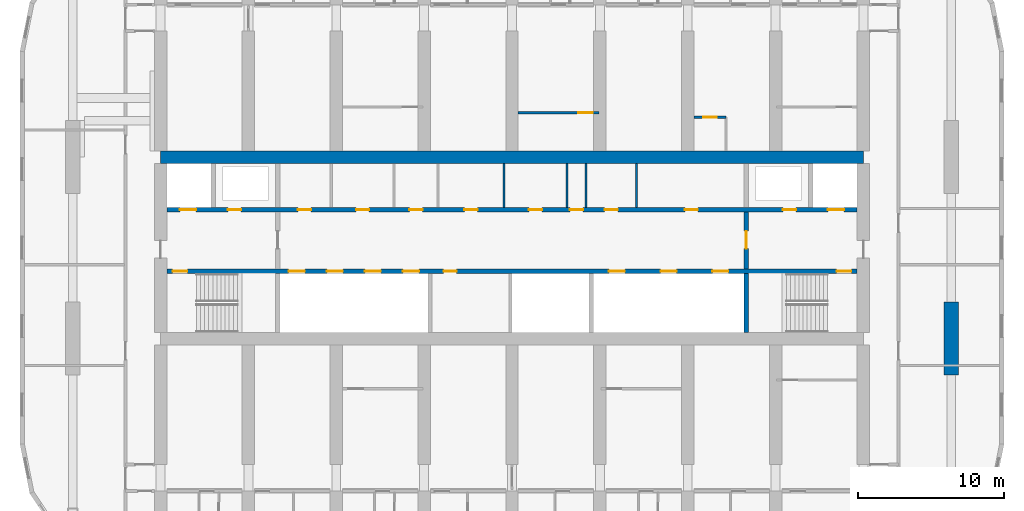
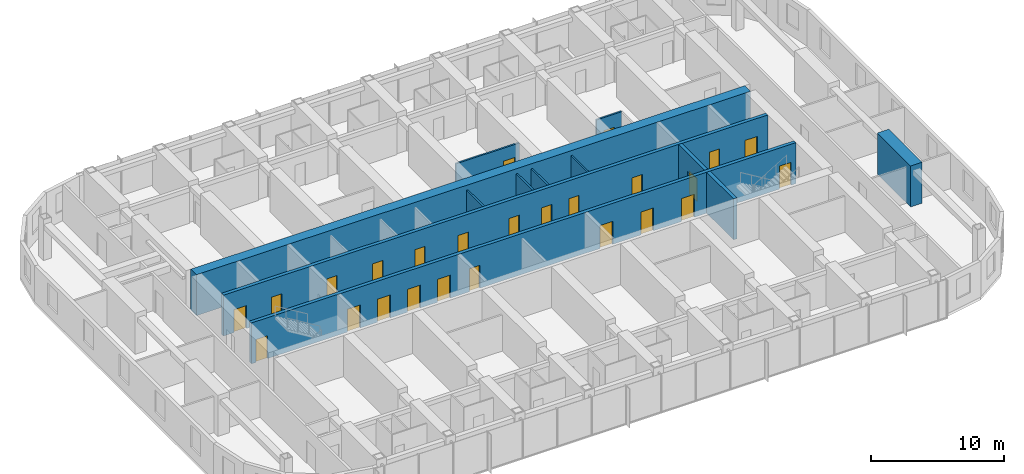
# One storey, part 13 of 22: 25 doors, 12 walls, 25 openings.
"""IFC4 building model written with IfcOpenShell, lengths in metres."""

from ifc_helpers import new_model, si_unit, direction, frame, frame_2d, origin, place, context, subcontext, project, spatial, rectangle, extrude, material, layer, layer_set, type_object, element, fill, save


model = new_model("IFC4")

# Units and contexts
model_context = context("Model", 3, precision=1e-05, world=origin(), true_north=direction((0.0, 1.0)))
body_context = subcontext(model_context, "Body", "Model", "MODEL_VIEW")
ifc_project = project(units=[si_unit("LENGTHUNIT", "METRE"), si_unit("AREAUNIT", "SQUARE_METRE"), si_unit("VOLUMEUNIT", "CUBIC_METRE"), si_unit("PLANEANGLEUNIT", "RADIAN"), si_unit("MASSUNIT", "GRAM", prefix="KILO")], contexts=[model_context])

# Site, building, storey
site_placement = place(None, origin())
site = spatial("IfcSite", under=ifc_project, at=site_placement, CompositionType="ELEMENT")
building_placement = place(site_placement, origin())
building = spatial("IfcBuilding", under=site, at=building_placement, Name="Orbita Commons", CompositionType="ELEMENT")
storey_placement = place(building_placement, frame((0.0, 0.0, 159.85009765625)))
storey = spatial("IfcBuildingStorey", under=building, at=storey_placement, Name="L39", CompositionType="ELEMENT", Elevation=159.85009765625)

# Wall, openings, doors
ifc_material_1 = material(Name="Concrete C50/60", Category="concrete")
ifc_layer_1 = layer(ifc_material_1, 0.300048828125)
ifc_layer_set_1 = layer_set([ifc_layer_1], Name="Concrete C50/60")
wall_type_1 = type_object("IfcWallType", Name="Core inner wall 300 C50/60", PredefinedType="SHEAR", material=ifc_layer_set_1)
wall_1_placement = place(storey_placement, frame((18.425048828125, 30.39990234375, 0.0), z_axis=(0.0, 0.0, 1.0), x_axis=(1.0, 0.0, 0.0)))
wall_1 = element("IfcWall", 1, at=wall_1_placement, inside=storey, type_object=wall_type_1, Name="Lobby wall south L39", PredefinedType="SHEAR", context=body_context, shape_type="SweptSolid", body=[
    extrude(rectangle(XDim=47.14990234375, YDim=0.300048828125, at=frame_2d((23.574951171875, 0.0))), origin(), (0.0, 0.0, 1.0), 3.75),
])
opening_1_placement = place(wall_1_placement, frame((0.39990234375, 0.0, 0.0)))
opening_1 = element("IfcOpeningElement", 2, at=opening_1_placement, cuts=wall_1, Name="Opening D02", PredefinedType="OPENING", context=body_context, shape_type="SweptSolid", body=[
    extrude(rectangle(XDim=1.0, YDim=2.10009765625, at=frame_2d((0.5, 1.050048828125))), frame((0.0, 0.159912109375, 0.0), z_axis=(0.0, -1.0, 0.0), x_axis=(1.0, 0.0, 0.0)), (0.0, 0.0, 1.0), 0.320068359375),
])
opening_2_placement = place(wall_1_placement, frame((45.75, 0.0, 0.0)))
opening_2 = element("IfcOpeningElement", 3, at=opening_2_placement, cuts=wall_1, Name="Opening D02", PredefinedType="OPENING", context=body_context, shape_type="SweptSolid", body=[
    extrude(rectangle(XDim=1.0, YDim=2.10009765625, at=frame_2d((0.5, 1.050048828125))), frame((0.0, 0.159912109375, 0.0), z_axis=(0.0, -1.0, 0.0), x_axis=(1.0, 0.0, 0.0)), (0.0, 0.0, 1.0), 0.320068359375),
])
opening_3_placement = place(wall_1_placement, frame((8.324951171875, 0.0, 0.0)))
opening_3 = element("IfcOpeningElement", 4, at=opening_3_placement, cuts=wall_1, Name="Opening LD02", PredefinedType="OPENING", context=body_context, shape_type="SweptSolid", body=[
    extrude(rectangle(XDim=1.10009765625, YDim=2.10009765625, at=frame_2d((0.550048828125, 1.050048828125))), frame((0.0, 0.159912109375, 0.0), z_axis=(0.0, -1.0, 0.0), x_axis=(1.0, 0.0, 0.0)), (0.0, 0.0, 1.0), 0.320068359375),
])
opening_4_placement = place(wall_1_placement, frame((10.925048828125, 0.0, 0.0)))
opening_4 = element("IfcOpeningElement", 5, at=opening_4_placement, cuts=wall_1, Name="Opening LD02", PredefinedType="OPENING", context=body_context, shape_type="SweptSolid", body=[
    extrude(rectangle(XDim=1.10009765625, YDim=2.10009765625, at=frame_2d((0.550048828125, 1.050048828125))), frame((0.0, 0.159912109375, 0.0), z_axis=(0.0, -1.0, 0.0), x_axis=(1.0, 0.0, 0.0)), (0.0, 0.0, 1.0), 0.320068359375),
])
opening_5_placement = place(wall_1_placement, frame((13.52490234375, 0.0, 0.0)))
opening_5 = element("IfcOpeningElement", 6, at=opening_5_placement, cuts=wall_1, Name="Opening LD02", PredefinedType="OPENING", context=body_context, shape_type="SweptSolid", body=[
    extrude(rectangle(XDim=1.10009765625, YDim=2.10009765625, at=frame_2d((0.550048828125, 1.050048828125))), frame((0.0, 0.159912109375, 0.0), z_axis=(0.0, -1.0, 0.0), x_axis=(1.0, 0.0, 0.0)), (0.0, 0.0, 1.0), 0.320068359375),
])
opening_6_placement = place(wall_1_placement, frame((16.125, 0.0, 0.0)))
opening_6 = element("IfcOpeningElement", 7, at=opening_6_placement, cuts=wall_1, Name="Opening LD02", PredefinedType="OPENING", context=body_context, shape_type="SweptSolid", body=[
    extrude(rectangle(XDim=1.10009765625, YDim=2.10009765625, at=frame_2d((0.550048828125, 1.050048828125))), frame((0.0, 0.159912109375, 0.0), z_axis=(0.0, -1.0, 0.0), x_axis=(1.0, 0.0, 0.0)), (0.0, 0.0, 1.0), 0.320068359375),
])
opening_7_placement = place(wall_1_placement, frame((18.89990234375, 0.0, 0.0)))
opening_7 = element("IfcOpeningElement", 8, at=opening_7_placement, cuts=wall_1, Name="Opening D05", PredefinedType="OPENING", context=body_context, shape_type="SweptSolid", body=[
    extrude(rectangle(XDim=0.89990234375, YDim=2.10009765625, at=frame_2d((0.449951171875, 1.050048828125))), frame((0.0, 0.159912109375, 0.0), z_axis=(0.0, -1.0, 0.0), x_axis=(1.0, 0.0, 0.0)), (0.0, 0.0, 1.0), 0.320068359375),
])
opening_8_placement = place(wall_1_placement, frame((30.191650390625, 0.0, 0.0)))
opening_8 = element("IfcOpeningElement", 9, at=opening_8_placement, cuts=wall_1, Name="Opening LD02", PredefinedType="OPENING", context=body_context, shape_type="SweptSolid", body=[
    extrude(rectangle(XDim=1.10009765625, YDim=2.10009765625, at=frame_2d((0.550048828125, 1.050048828125))), frame((0.0, 0.159912109375, 0.0), z_axis=(0.0, -1.0, 0.0), x_axis=(1.0, 0.0, 0.0)), (0.0, 0.0, 1.0), 0.320068359375),
])
opening_9_placement = place(wall_1_placement, frame((33.72509765625, 0.0, 0.0)))
opening_9 = element("IfcOpeningElement", 10, at=opening_9_placement, cuts=wall_1, Name="Opening LD02", PredefinedType="OPENING", context=body_context, shape_type="SweptSolid", body=[
    extrude(rectangle(XDim=1.10009765625, YDim=2.10009765625, at=frame_2d((0.550048828125, 1.050048828125))), frame((0.0, 0.159912109375, 0.0), z_axis=(0.0, -1.0, 0.0), x_axis=(1.0, 0.0, 0.0)), (0.0, 0.0, 1.0), 0.320068359375),
])
opening_10_placement = place(wall_1_placement, frame((37.25830078125, 0.0, 0.0)))
opening_10 = element("IfcOpeningElement", 11, at=opening_10_placement, cuts=wall_1, Name="Opening LD02", PredefinedType="OPENING", context=body_context, shape_type="SweptSolid", body=[
    extrude(rectangle(XDim=1.10009765625, YDim=2.10009765625, at=frame_2d((0.550048828125, 1.050048828125))), frame((0.0, 0.159912109375, 0.0), z_axis=(0.0, -1.0, 0.0), x_axis=(1.0, 0.0, 0.0)), (0.0, 0.0, 1.0), 0.320068359375),
])
ifc_material_2 = material(Name="Steel-faced fire door leaf", Category="steel")
door_type_1 = type_object("IfcDoorType", Name="Fire door 90 min 1000x2100", OperationType="SINGLE_SWING_LEFT", PredefinedType="DOOR", material=ifc_material_2)
door_1_placement = place(opening_1_placement, origin())
door_1 = element("IfcDoor", 12, at=door_1_placement, inside=storey, type_object=door_type_1, Name="Stair S1 door", OperationType="SINGLE_SWING_LEFT", OverallHeight=2.10009765625, OverallWidth=1.0, PredefinedType="DOOR", context=body_context, shape_type="SweptSolid", body=[
    extrude(rectangle(XDim=1.0, YDim=2.10009765625, at=frame_2d((0.5, 1.050048828125))), frame((0.0, 0.02490234375, 0.0), z_axis=(0.0, -1.0, 0.0), x_axis=(1.0, 0.0, 0.0)), (0.0, 0.0, 1.0), 0.050048828125),
])
fill(opening_1, door_1)
door_2_placement = place(opening_2_placement, origin())
door_2 = element("IfcDoor", 13, at=door_2_placement, inside=storey, type_object=door_type_1, Name="Stair S2 door", OperationType="SINGLE_SWING_LEFT", OverallHeight=2.10009765625, OverallWidth=1.0, PredefinedType="DOOR", context=body_context, shape_type="SweptSolid", body=[
    extrude(rectangle(XDim=1.0, YDim=2.10009765625, at=frame_2d((0.5, 1.050048828125))), frame((0.0, 0.02490234375, 0.0), z_axis=(0.0, -1.0, 0.0), x_axis=(1.0, 0.0, 0.0)), (0.0, 0.0, 1.0), 0.050048828125),
])
fill(opening_2, door_2)
ifc_material_3 = material(Name="Steel-faced fire door leaf", Category="steel")
door_type_2 = type_object("IfcDoorType", Name="Lift landing door 1100x2100", OperationType="DOUBLE_DOOR_SLIDING", PredefinedType="DOOR", material=ifc_material_3)
door_3_placement = place(opening_3_placement, origin())
door_3 = element("IfcDoor", 14, at=door_3_placement, inside=storey, type_object=door_type_2, Name="Lift P31 landing door", OperationType="DOUBLE_DOOR_SLIDING", OverallHeight=2.10009765625, OverallWidth=1.10009765625, PredefinedType="DOOR", context=body_context, shape_type="SweptSolid", body=[
    extrude(rectangle(XDim=1.10009765625, YDim=2.10009765625, at=frame_2d((0.550048828125, 1.050048828125))), frame((0.0, 0.02490234375, 0.0), z_axis=(0.0, -1.0, 0.0), x_axis=(1.0, 0.0, 0.0)), (0.0, 0.0, 1.0), 0.050048828125),
])
fill(opening_3, door_3)
door_4_placement = place(opening_4_placement, origin())
door_4 = element("IfcDoor", 15, at=door_4_placement, inside=storey, type_object=door_type_2, Name="Lift P32 landing door", OperationType="DOUBLE_DOOR_SLIDING", OverallHeight=2.10009765625, OverallWidth=1.10009765625, PredefinedType="DOOR", context=body_context, shape_type="SweptSolid", body=[
    extrude(rectangle(XDim=1.10009765625, YDim=2.10009765625, at=frame_2d((0.550048828125, 1.050048828125))), frame((0.0, 0.02490234375, 0.0), z_axis=(0.0, -1.0, 0.0), x_axis=(1.0, 0.0, 0.0)), (0.0, 0.0, 1.0), 0.050048828125),
])
fill(opening_4, door_4)
door_5_placement = place(opening_5_placement, origin())
door_5 = element("IfcDoor", 16, at=door_5_placement, inside=storey, type_object=door_type_2, Name="Lift P33 landing door", OperationType="DOUBLE_DOOR_SLIDING", OverallHeight=2.10009765625, OverallWidth=1.10009765625, PredefinedType="DOOR", context=body_context, shape_type="SweptSolid", body=[
    extrude(rectangle(XDim=1.10009765625, YDim=2.10009765625, at=frame_2d((0.550048828125, 1.050048828125))), frame((0.0, 0.02490234375, 0.0), z_axis=(0.0, -1.0, 0.0), x_axis=(1.0, 0.0, 0.0)), (0.0, 0.0, 1.0), 0.050048828125),
])
fill(opening_5, door_5)
door_6_placement = place(opening_6_placement, origin())
door_6 = element("IfcDoor", 17, at=door_6_placement, inside=storey, type_object=door_type_2, Name="Lift P34 landing door", OperationType="DOUBLE_DOOR_SLIDING", OverallHeight=2.10009765625, OverallWidth=1.10009765625, PredefinedType="DOOR", context=body_context, shape_type="SweptSolid", body=[
    extrude(rectangle(XDim=1.10009765625, YDim=2.10009765625, at=frame_2d((0.550048828125, 1.050048828125))), frame((0.0, 0.02490234375, 0.0), z_axis=(0.0, -1.0, 0.0), x_axis=(1.0, 0.0, 0.0)), (0.0, 0.0, 1.0), 0.050048828125),
])
fill(opening_6, door_6)
door_7_placement = place(opening_8_placement, origin())
door_7 = element("IfcDoor", 18, at=door_7_placement, inside=storey, type_object=door_type_2, Name="Lift SV1 landing door", OperationType="DOUBLE_DOOR_SLIDING", OverallHeight=2.10009765625, OverallWidth=1.10009765625, PredefinedType="DOOR", context=body_context, shape_type="SweptSolid", body=[
    extrude(rectangle(XDim=1.10009765625, YDim=2.10009765625, at=frame_2d((0.550048828125, 1.050048828125))), frame((0.0, 0.02490234375, 0.0), z_axis=(0.0, -1.0, 0.0), x_axis=(1.0, 0.0, 0.0)), (0.0, 0.0, 1.0), 0.050048828125),
])
fill(opening_8, door_7)
door_8_placement = place(opening_9_placement, origin())
door_8 = element("IfcDoor", 19, at=door_8_placement, inside=storey, type_object=door_type_2, Name="Lift SV2 landing door", OperationType="DOUBLE_DOOR_SLIDING", OverallHeight=2.10009765625, OverallWidth=1.10009765625, PredefinedType="DOOR", context=body_context, shape_type="SweptSolid", body=[
    extrude(rectangle(XDim=1.10009765625, YDim=2.10009765625, at=frame_2d((0.550048828125, 1.050048828125))), frame((0.0, 0.02490234375, 0.0), z_axis=(0.0, -1.0, 0.0), x_axis=(1.0, 0.0, 0.0)), (0.0, 0.0, 1.0), 0.050048828125),
])
fill(opening_9, door_8)
door_9_placement = place(opening_10_placement, origin())
door_9 = element("IfcDoor", 20, at=door_9_placement, inside=storey, type_object=door_type_2, Name="Lift SV3 landing door", OperationType="DOUBLE_DOOR_SLIDING", OverallHeight=2.10009765625, OverallWidth=1.10009765625, PredefinedType="DOOR", context=body_context, shape_type="SweptSolid", body=[
    extrude(rectangle(XDim=1.10009765625, YDim=2.10009765625, at=frame_2d((0.550048828125, 1.050048828125))), frame((0.0, 0.02490234375, 0.0), z_axis=(0.0, -1.0, 0.0), x_axis=(1.0, 0.0, 0.0)), (0.0, 0.0, 1.0), 0.050048828125),
])
fill(opening_10, door_9)
ifc_material_4 = material(Name="Steel-faced fire door leaf", Category="steel")
door_type_3 = type_object("IfcDoorType", Name="Service door 20 min 900x2100", OperationType="SINGLE_SWING_LEFT", PredefinedType="DOOR", material=ifc_material_4)
door_10_placement = place(opening_7_placement, origin())
door_10 = element("IfcDoor", 21, at=door_10_placement, inside=storey, type_object=door_type_3, Name="Telecoms room door", OperationType="SINGLE_SWING_LEFT", OverallHeight=2.10009765625, OverallWidth=0.89990234375, PredefinedType="DOOR", context=body_context, shape_type="SweptSolid", body=[
    extrude(rectangle(XDim=0.89990234375, YDim=2.10009765625, at=frame_2d((0.449951171875, 1.050048828125))), frame((0.0, 0.02490234375, 0.0), z_axis=(0.0, -1.0, 0.0), x_axis=(1.0, 0.0, 0.0)), (0.0, 0.0, 1.0), 0.050048828125),
])
fill(opening_7, door_10)

wall_2_placement = place(storey_placement, frame((18.425048828125, 34.60009765625, 0.0), z_axis=(0.0, 0.0, 1.0), x_axis=(1.0, 0.0, 0.0)))
wall_2 = element("IfcWall", 22, at=wall_2_placement, inside=storey, type_object=wall_type_1, Name="Lobby wall north L39", PredefinedType="SHEAR", context=body_context, shape_type="SweptSolid", body=[
    extrude(rectangle(XDim=47.14990234375, YDim=0.300048828125, at=frame_2d((23.574951171875, 0.0))), origin(), (0.0, 0.0, 1.0), 3.75),
])
opening_11_placement = place(wall_2_placement, frame((0.89990234375, 0.0, 0.0)))
opening_11 = element("IfcOpeningElement", 23, at=opening_11_placement, cuts=wall_2, Name="Opening LD01", PredefinedType="OPENING", context=body_context, shape_type="SweptSolid", body=[
    extrude(rectangle(XDim=1.10009765625, YDim=2.10009765625, at=frame_2d((0.550048828125, 1.050048828125))), frame((0.0, 0.159912109375, 0.0), z_axis=(0.0, -1.0, 0.0), x_axis=(1.0, 0.0, 0.0)), (0.0, 0.0, 1.0), 0.320068359375),
])
opening_12_placement = place(wall_2_placement, frame((45.14990234375, 0.0, 0.0)))
opening_12 = element("IfcOpeningElement", 24, at=opening_12_placement, cuts=wall_2, Name="Opening LD01", PredefinedType="OPENING", context=body_context, shape_type="SweptSolid", body=[
    extrude(rectangle(XDim=1.10009765625, YDim=2.10009765625, at=frame_2d((0.550048828125, 1.050048828125))), frame((0.0, 0.159912109375, 0.0), z_axis=(0.0, -1.0, 0.0), x_axis=(1.0, 0.0, 0.0)), (0.0, 0.0, 1.0), 0.320068359375),
])
opening_13_placement = place(wall_2_placement, frame((4.175048828125, 0.0, 0.0)))
opening_13 = element("IfcOpeningElement", 25, at=opening_13_placement, cuts=wall_2, Name="Opening D03", PredefinedType="OPENING", context=body_context, shape_type="SweptSolid", body=[
    extrude(rectangle(XDim=0.89990234375, YDim=2.10009765625, at=frame_2d((0.449951171875, 1.050048828125))), frame((0.0, 0.159912109375, 0.0), z_axis=(0.0, -1.0, 0.0), x_axis=(1.0, 0.0, 0.0)), (0.0, 0.0, 1.0), 0.320068359375),
])
opening_14_placement = place(wall_2_placement, frame((42.074951171875, 0.0, 0.0)))
opening_14 = element("IfcOpeningElement", 26, at=opening_14_placement, cuts=wall_2, Name="Opening D03", PredefinedType="OPENING", context=body_context, shape_type="SweptSolid", body=[
    extrude(rectangle(XDim=0.89990234375, YDim=2.10009765625, at=frame_2d((0.449951171875, 1.050048828125))), frame((0.0, 0.159912109375, 0.0), z_axis=(0.0, -1.0, 0.0), x_axis=(1.0, 0.0, 0.0)), (0.0, 0.0, 1.0), 0.320068359375),
])
opening_15_placement = place(wall_2_placement, frame((8.950439453125, 0.0, 0.0)))
opening_15 = element("IfcOpeningElement", 27, at=opening_15_placement, cuts=wall_2, Name="Opening D05", PredefinedType="OPENING", context=body_context, shape_type="SweptSolid", body=[
    extrude(rectangle(XDim=0.89990234375, YDim=2.10009765625, at=frame_2d((0.449951171875, 1.050048828125))), frame((0.0, 0.159912109375, 0.0), z_axis=(0.0, -1.0, 0.0), x_axis=(1.0, 0.0, 0.0)), (0.0, 0.0, 1.0), 0.320068359375),
])
opening_16_placement = place(wall_2_placement, frame((12.923583984375, 0.0, 0.0)))
opening_16 = element("IfcOpeningElement", 28, at=opening_16_placement, cuts=wall_2, Name="Opening D03", PredefinedType="OPENING", context=body_context, shape_type="SweptSolid", body=[
    extrude(rectangle(XDim=0.89990234375, YDim=2.10009765625, at=frame_2d((0.449951171875, 1.050048828125))), frame((0.0, 0.159912109375, 0.0), z_axis=(0.0, -1.0, 0.0), x_axis=(1.0, 0.0, 0.0)), (0.0, 0.0, 1.0), 0.320068359375),
])
opening_17_placement = place(wall_2_placement, frame((16.5712890625, 0.0, 0.0)))
opening_17 = element("IfcOpeningElement", 29, at=opening_17_placement, cuts=wall_2, Name="Opening D03", PredefinedType="OPENING", context=body_context, shape_type="SweptSolid", body=[
    extrude(rectangle(XDim=0.89990234375, YDim=2.10009765625, at=frame_2d((0.449951171875, 1.050048828125))), frame((0.0, 0.159912109375, 0.0), z_axis=(0.0, -1.0, 0.0), x_axis=(1.0, 0.0, 0.0)), (0.0, 0.0, 1.0), 0.320068359375),
])
opening_18_placement = place(wall_2_placement, frame((20.32958984375, 0.0, 0.0)))
opening_18 = element("IfcOpeningElement", 30, at=opening_18_placement, cuts=wall_2, Name="Opening D05", PredefinedType="OPENING", context=body_context, shape_type="SweptSolid", body=[
    extrude(rectangle(XDim=0.89990234375, YDim=2.10009765625, at=frame_2d((0.449951171875, 1.050048828125))), frame((0.0, 0.159912109375, 0.0), z_axis=(0.0, -1.0, 0.0), x_axis=(1.0, 0.0, 0.0)), (0.0, 0.0, 1.0), 0.320068359375),
])
opening_19_placement = place(wall_2_placement, frame((24.735595703125, 0.0, 0.0)))
opening_19 = element("IfcOpeningElement", 31, at=opening_19_placement, cuts=wall_2, Name="Opening D03", PredefinedType="OPENING", context=body_context, shape_type="SweptSolid", body=[
    extrude(rectangle(XDim=0.89990234375, YDim=2.10009765625, at=frame_2d((0.449951171875, 1.050048828125))), frame((0.0, 0.159912109375, 0.0), z_axis=(0.0, -1.0, 0.0), x_axis=(1.0, 0.0, 0.0)), (0.0, 0.0, 1.0), 0.320068359375),
])
opening_20_placement = place(wall_2_placement, frame((27.533447265625, 0.0, 0.0)))
opening_20 = element("IfcOpeningElement", 32, at=opening_20_placement, cuts=wall_2, Name="Opening D03", PredefinedType="OPENING", context=body_context, shape_type="SweptSolid", body=[
    extrude(rectangle(XDim=0.89990234375, YDim=2.10009765625, at=frame_2d((0.449951171875, 1.050048828125))), frame((0.0, 0.159912109375, 0.0), z_axis=(0.0, -1.0, 0.0), x_axis=(1.0, 0.0, 0.0)), (0.0, 0.0, 1.0), 0.320068359375),
])
opening_21_placement = place(wall_2_placement, frame((29.90576171875, 0.0, 0.0)))
opening_21 = element("IfcOpeningElement", 33, at=opening_21_placement, cuts=wall_2, Name="Opening D05", PredefinedType="OPENING", context=body_context, shape_type="SweptSolid", body=[
    extrude(rectangle(XDim=0.89990234375, YDim=2.10009765625, at=frame_2d((0.449951171875, 1.050048828125))), frame((0.0, 0.159912109375, 0.0), z_axis=(0.0, -1.0, 0.0), x_axis=(1.0, 0.0, 0.0)), (0.0, 0.0, 1.0), 0.320068359375),
])
opening_22_placement = place(wall_2_placement, frame((35.37646484375, 0.0, 0.0)))
opening_22 = element("IfcOpeningElement", 34, at=opening_22_placement, cuts=wall_2, Name="Opening D03", PredefinedType="OPENING", context=body_context, shape_type="SweptSolid", body=[
    extrude(rectangle(XDim=0.89990234375, YDim=2.10009765625, at=frame_2d((0.449951171875, 1.050048828125))), frame((0.0, 0.159912109375, 0.0), z_axis=(0.0, -1.0, 0.0), x_axis=(1.0, 0.0, 0.0)), (0.0, 0.0, 1.0), 0.320068359375),
])
ifc_material_5 = material(Name="Steel-faced fire door leaf", Category="steel")
door_type_4 = type_object("IfcDoorType", Name="Firefighting lift landing door 1100x2100", OperationType="DOUBLE_DOOR_SLIDING", PredefinedType="DOOR", material=ifc_material_5)
door_11_placement = place(opening_11_placement, origin())
door_11 = element("IfcDoor", 35, at=door_11_placement, inside=storey, type_object=door_type_4, Name="Firefighting lift FL1 landing door", OperationType="DOUBLE_DOOR_SLIDING", OverallHeight=2.10009765625, OverallWidth=1.10009765625, PredefinedType="DOOR", context=body_context, shape_type="SweptSolid", body=[
    extrude(rectangle(XDim=1.10009765625, YDim=2.10009765625, at=frame_2d((0.550048828125, 1.050048828125))), frame((0.0, 0.02490234375, 0.0), z_axis=(0.0, -1.0, 0.0), x_axis=(1.0, 0.0, 0.0)), (0.0, 0.0, 1.0), 0.050048828125),
])
fill(opening_11, door_11)
door_12_placement = place(opening_12_placement, origin())
door_12 = element("IfcDoor", 36, at=door_12_placement, inside=storey, type_object=door_type_4, Name="Firefighting lift FL2 landing door", OperationType="DOUBLE_DOOR_SLIDING", OverallHeight=2.10009765625, OverallWidth=1.10009765625, PredefinedType="DOOR", context=body_context, shape_type="SweptSolid", body=[
    extrude(rectangle(XDim=1.10009765625, YDim=2.10009765625, at=frame_2d((0.550048828125, 1.050048828125))), frame((0.0, 0.02490234375, 0.0), z_axis=(0.0, -1.0, 0.0), x_axis=(1.0, 0.0, 0.0)), (0.0, 0.0, 1.0), 0.050048828125),
])
fill(opening_12, door_12)
door_13_placement = place(opening_15_placement, origin())
door_13 = element("IfcDoor", 37, at=door_13_placement, inside=storey, type_object=door_type_3, Name="Staff WC door", OperationType="SINGLE_SWING_LEFT", OverallHeight=2.10009765625, OverallWidth=0.89990234375, PredefinedType="DOOR", context=body_context, shape_type="SweptSolid", body=[
    extrude(rectangle(XDim=0.89990234375, YDim=2.10009765625, at=frame_2d((0.449951171875, 1.050048828125))), frame((0.0, 0.02490234375, 0.0), z_axis=(0.0, -1.0, 0.0), x_axis=(1.0, 0.0, 0.0)), (0.0, 0.0, 1.0), 0.050048828125),
])
fill(opening_15, door_13)
door_14_placement = place(opening_18_placement, origin())
door_14 = element("IfcDoor", 38, at=door_14_placement, inside=storey, type_object=door_type_3, Name="Vending and ice room door", OperationType="SINGLE_SWING_LEFT", OverallHeight=2.10009765625, OverallWidth=0.89990234375, PredefinedType="DOOR", context=body_context, shape_type="SweptSolid", body=[
    extrude(rectangle(XDim=0.89990234375, YDim=2.10009765625, at=frame_2d((0.449951171875, 1.050048828125))), frame((0.0, 0.02490234375, 0.0), z_axis=(0.0, -1.0, 0.0), x_axis=(1.0, 0.0, 0.0)), (0.0, 0.0, 1.0), 0.050048828125),
])
fill(opening_18, door_14)
door_15_placement = place(opening_21_placement, origin())
door_15 = element("IfcDoor", 39, at=door_15_placement, inside=storey, type_object=door_type_3, Name="Accessible WC door", OperationType="SINGLE_SWING_LEFT", OverallHeight=2.10009765625, OverallWidth=0.89990234375, PredefinedType="DOOR", context=body_context, shape_type="SweptSolid", body=[
    extrude(rectangle(XDim=0.89990234375, YDim=2.10009765625, at=frame_2d((0.449951171875, 1.050048828125))), frame((0.0, 0.02490234375, 0.0), z_axis=(0.0, -1.0, 0.0), x_axis=(1.0, 0.0, 0.0)), (0.0, 0.0, 1.0), 0.050048828125),
])
fill(opening_21, door_15)
ifc_material_6 = material(Name="Steel-faced fire door leaf", Category="steel")
door_type_5 = type_object("IfcDoorType", Name="Shaft access door 90 min 900x2100", OperationType="SINGLE_SWING_LEFT", PredefinedType="DOOR", material=ifc_material_6)
door_16_placement = place(opening_13_placement, origin())
door_16 = element("IfcDoor", 40, at=door_16_placement, inside=storey, type_object=door_type_5, Name="Riser door west", OperationType="SINGLE_SWING_LEFT", OverallHeight=2.10009765625, OverallWidth=0.89990234375, PredefinedType="DOOR", context=body_context, shape_type="SweptSolid", body=[
    extrude(rectangle(XDim=0.89990234375, YDim=2.10009765625, at=frame_2d((0.449951171875, 1.050048828125))), frame((0.0, 0.02490234375, 0.0), z_axis=(0.0, -1.0, 0.0), x_axis=(1.0, 0.0, 0.0)), (0.0, 0.0, 1.0), 0.050048828125),
])
fill(opening_13, door_16)
door_17_placement = place(opening_14_placement, origin())
door_17 = element("IfcDoor", 41, at=door_17_placement, inside=storey, type_object=door_type_5, Name="Riser door east", OperationType="SINGLE_SWING_LEFT", OverallHeight=2.10009765625, OverallWidth=0.89990234375, PredefinedType="DOOR", context=body_context, shape_type="SweptSolid", body=[
    extrude(rectangle(XDim=0.89990234375, YDim=2.10009765625, at=frame_2d((0.449951171875, 1.050048828125))), frame((0.0, 0.02490234375, 0.0), z_axis=(0.0, -1.0, 0.0), x_axis=(1.0, 0.0, 0.0)), (0.0, 0.0, 1.0), 0.050048828125),
])
fill(opening_14, door_17)
door_18_placement = place(opening_16_placement, origin())
door_18 = element("IfcDoor", 42, at=door_18_placement, inside=storey, type_object=door_type_5, Name="Refuse chute room door", OperationType="SINGLE_SWING_LEFT", OverallHeight=2.10009765625, OverallWidth=0.89990234375, PredefinedType="DOOR", context=body_context, shape_type="SweptSolid", body=[
    extrude(rectangle(XDim=0.89990234375, YDim=2.10009765625, at=frame_2d((0.449951171875, 1.050048828125))), frame((0.0, 0.02490234375, 0.0), z_axis=(0.0, -1.0, 0.0), x_axis=(1.0, 0.0, 0.0)), (0.0, 0.0, 1.0), 0.050048828125),
])
fill(opening_16, door_18)
door_19_placement = place(opening_17_placement, origin())
door_19 = element("IfcDoor", 43, at=door_19_placement, inside=storey, type_object=door_type_5, Name="Electrical riser room door", OperationType="SINGLE_SWING_LEFT", OverallHeight=2.10009765625, OverallWidth=0.89990234375, PredefinedType="DOOR", context=body_context, shape_type="SweptSolid", body=[
    extrude(rectangle(XDim=0.89990234375, YDim=2.10009765625, at=frame_2d((0.449951171875, 1.050048828125))), frame((0.0, 0.02490234375, 0.0), z_axis=(0.0, -1.0, 0.0), x_axis=(1.0, 0.0, 0.0)), (0.0, 0.0, 1.0), 0.050048828125),
])
fill(opening_17, door_19)
door_20_placement = place(opening_19_placement, origin())
door_20 = element("IfcDoor", 44, at=door_20_placement, inside=storey, type_object=door_type_5, Name="Communications room door", OperationType="SINGLE_SWING_LEFT", OverallHeight=2.10009765625, OverallWidth=0.89990234375, PredefinedType="DOOR", context=body_context, shape_type="SweptSolid", body=[
    extrude(rectangle(XDim=0.89990234375, YDim=2.10009765625, at=frame_2d((0.449951171875, 1.050048828125))), frame((0.0, 0.02490234375, 0.0), z_axis=(0.0, -1.0, 0.0), x_axis=(1.0, 0.0, 0.0)), (0.0, 0.0, 1.0), 0.050048828125),
])
fill(opening_19, door_20)
door_21_placement = place(opening_20_placement, origin())
door_21 = element("IfcDoor", 45, at=door_21_placement, inside=storey, type_object=door_type_5, Name="Stair pressurisation duct door", OperationType="SINGLE_SWING_LEFT", OverallHeight=2.10009765625, OverallWidth=0.89990234375, PredefinedType="DOOR", context=body_context, shape_type="SweptSolid", body=[
    extrude(rectangle(XDim=0.89990234375, YDim=2.10009765625, at=frame_2d((0.449951171875, 1.050048828125))), frame((0.0, 0.02490234375, 0.0), z_axis=(0.0, -1.0, 0.0), x_axis=(1.0, 0.0, 0.0)), (0.0, 0.0, 1.0), 0.050048828125),
])
fill(opening_20, door_21)
door_22_placement = place(opening_22_placement, origin())
door_22 = element("IfcDoor", 46, at=door_22_placement, inside=storey, type_object=door_type_5, Name="Linen and housekeeping store door", OperationType="SINGLE_SWING_LEFT", OverallHeight=2.10009765625, OverallWidth=0.89990234375, PredefinedType="DOOR", context=body_context, shape_type="SweptSolid", body=[
    extrude(rectangle(XDim=0.89990234375, YDim=2.10009765625, at=frame_2d((0.449951171875, 1.050048828125))), frame((0.0, 0.02490234375, 0.0), z_axis=(0.0, -1.0, 0.0), x_axis=(1.0, 0.0, 0.0)), (0.0, 0.0, 1.0), 0.050048828125),
])
fill(opening_22, door_22)

# Wall
wall_3_placement = place(storey_placement, frame((58.0, 26.22509765625, 0.0), z_axis=(0.0, 0.0, 1.0), x_axis=(0.0, 1.0, 0.0)))
element("IfcWall", 47, at=wall_3_placement, inside=storey, type_object=wall_type_1, Name="Stair S2 wall L39", PredefinedType="SHEAR", context=body_context, shape_type="SweptSolid", body=[
    extrude(rectangle(XDim=4.02490234375, YDim=0.300048828125, at=frame_2d((2.012451171875, 0.0))), origin(), (0.0, 0.0, 1.0), 3.75),
])

# Wall, opening, door
wall_4_placement = place(storey_placement, frame((58.0, 30.550048828125, 0.0), z_axis=(0.0, 0.0, 1.0), x_axis=(0.0, 1.0, 0.0)))
wall_4 = element("IfcWall", 48, at=wall_4_placement, inside=storey, type_object=wall_type_1, Name="Firefighting lobby wall east L39", PredefinedType="SHEAR", context=body_context, shape_type="SweptSolid", body=[
    extrude(rectangle(XDim=3.89990234375, YDim=0.300048828125, at=frame_2d((1.949951171875, 0.0))), origin(), (0.0, 0.0, 1.0), 3.75),
])
opening_23_placement = place(wall_4_placement, frame((1.39990234375, 0.0, 0.0)))
opening_23 = element("IfcOpeningElement", 49, at=opening_23_placement, cuts=wall_4, Name="Opening D04", PredefinedType="OPENING", context=body_context, shape_type="SweptSolid", body=[
    extrude(rectangle(XDim=1.199951171875, YDim=2.10009765625, at=frame_2d((0.60009765625, 1.050048828125))), frame((0.0, 0.159912109375, 0.0), z_axis=(0.0, -1.0, 0.0), x_axis=(1.0, 0.0, 0.0)), (0.0, 0.0, 1.0), 0.320068359375),
])
ifc_material_7 = material(Name="Steel-faced fire door leaf", Category="steel")
door_type_6 = type_object("IfcDoorType", Name="Service door 20 min 1200x2100", OperationType="SINGLE_SWING_LEFT", PredefinedType="DOOR", material=ifc_material_7)
door_23_placement = place(opening_23_placement, origin())
door_23 = element("IfcDoor", 50, at=door_23_placement, inside=storey, type_object=door_type_6, Name="Lift lobby door east", OperationType="SINGLE_SWING_LEFT", OverallHeight=2.10009765625, OverallWidth=1.199951171875, PredefinedType="DOOR", context=body_context, shape_type="SweptSolid", body=[
    extrude(rectangle(XDim=1.199951171875, YDim=2.10009765625, at=frame_2d((0.60009765625, 1.050048828125))), frame((0.0, 0.02490234375, 0.0), z_axis=(0.0, -1.0, 0.0), x_axis=(1.0, 0.0, 0.0)), (0.0, 0.0, 1.0), 0.050048828125),
])
fill(opening_23, door_23)

# Walls
ifc_material_8 = material(Name="Concrete blockwork", Category="masonry")
ifc_layer_2 = layer(ifc_material_8, 0.14990234375)
ifc_layer_set_2 = layer_set([ifc_layer_2], Name="Concrete blockwork")
wall_type_2 = type_object("IfcWallType", Name="Core partition 150 blockwork", PredefinedType="SOLIDWALL", material=ifc_layer_set_2)
for number, where, z_axis, x_axis, name in (
    (51, (41.463134765625, 34.75, 0.0), (0.0, 0.0, 1.0), (0.0, 1.0, 0.0), "Core partition 150 blockwork L39"),
    (52, (45.75830078125, 34.75, 0.0), (0.0, 0.0, 1.0), (0.0, 1.0, 0.0), "Core partition 150 blockwork L39"),
    (53, (47.058349609375, 34.75, 0.0), (0.0, 0.0, 1.0), (0.0, 1.0, 0.0), "Core partition 150 blockwork L39"),
    (54, (50.5029296875, 34.75, 0.0), (0.0, 0.0, 1.0), (0.0, 1.0, 0.0), "Core partition 150 blockwork L39"),
):
    element("IfcWall", number, at=place(storey_placement, frame(where, z_axis=z_axis, x_axis=x_axis)), inside=storey, type_object=wall_type_2, Name=name, PredefinedType="SOLIDWALL", context=body_context, shape_type="SweptSolid", body=[
        extrude(rectangle(XDim=3.02490234375, YDim=0.14990234375, at=frame_2d((1.512451171875, 0.0))), origin(), (0.0, 0.0, 1.0), 3.2998046875),
    ])
ifc_material_9 = material(Name="Concrete C50/60", Category="concrete")
ifc_layer_3 = layer(ifc_material_9, 0.85009765625)
ifc_layer_set_3 = layer_set([ifc_layer_3], Name="Concrete C50/60")
wall_type_3 = type_object("IfcWallType", Name="Core wall 850 C50/60", PredefinedType="SHEAR", material=ifc_layer_set_3)
wall_5_placement = place(storey_placement, frame((18.0, 38.199951171875, 0.0), z_axis=(0.0, 0.0, 1.0), x_axis=(1.0, 0.0, 0.0)))
element("IfcWall", 55, at=wall_5_placement, inside=storey, type_object=wall_type_3, Name="Core spine wall north L39", PredefinedType="SHEAR", context=body_context, shape_type="SweptSolid", body=[
    extrude(rectangle(XDim=48.0, YDim=0.85009765625, at=frame_2d((24.0, 0.0))), origin(), (0.0, 0.0, 1.0), 3.75),
])
ifc_material_10 = material(Name="Concrete C50/60", Category="concrete")
ifc_layer_4 = layer(ifc_material_10, 1.0)
ifc_layer_set_4 = layer_set([ifc_layer_4], Name="Concrete C50/60")
wall_type_4 = type_object("IfcWallType", Name="End pier 1000x5000 C50/60", PredefinedType="SHEAR", material=ifc_layer_set_4)
wall_6_placement = place(storey_placement, frame((72.0, 23.300048828125, 0.0), z_axis=(0.0, 0.0, 1.0), x_axis=(0.0, 1.0, 0.0)))
element("IfcWall", 56, at=wall_6_placement, inside=storey, type_object=wall_type_4, Name="End pier 13/C L39", PredefinedType="SHEAR", context=body_context, shape_type="SweptSolid", body=[
    extrude(rectangle(XDim=5.0, YDim=1.0, at=frame_2d((2.5, 0.0))), origin(), (0.0, 0.0, 1.0), 3.75),
])

# Wall, opening, door
ifc_material_11 = material(Name="Gypsum plasterboard on steel studs", Category="steel")
ifc_layer_5 = layer(ifc_material_11, 0.14990234375)
ifc_layer_set_5 = layer_set([ifc_layer_5], Name="Gypsum plasterboard on steel studs")
wall_type_5 = type_object("IfcWallType", Name="Partition 150 plasterboard", PredefinedType="PARTITIONING", material=ifc_layer_set_5)
wall_7_placement = place(storey_placement, frame((47.925048828125, 41.22509765625, 0.0), z_axis=(0.0, 0.0, 1.0), x_axis=(-1.0, 0.0, 0.0)))
wall_7 = element("IfcWall", 57, at=wall_7_placement, inside=storey, type_object=wall_type_5, Name="Partition 150 plasterboard L39", PredefinedType="PARTITIONING", context=body_context, shape_type="SweptSolid", body=[
    extrude(rectangle(XDim=5.5, YDim=0.14990234375, at=frame_2d((2.75, 0.0))), origin(), (0.0, 0.0, 1.0), 3.2998046875),
])
opening_24_placement = place(wall_7_placement, frame((0.39990234375, 0.0, 0.0)))
opening_24 = element("IfcOpeningElement", 58, at=opening_24_placement, cuts=wall_7, Name="Opening D17", PredefinedType="OPENING", context=body_context, shape_type="SweptSolid", body=[
    extrude(rectangle(XDim=1.0, YDim=2.10009765625, at=frame_2d((0.5, 1.050048828125))), frame((0.0, 0.0849609375, 0.0), z_axis=(0.0, -1.0, 0.0), x_axis=(1.0, 0.0, 0.0)), (0.0, 0.0, 1.0), 0.169921875),
])
ifc_material_12 = material(Name="Steel-faced fire door leaf", Category="steel")
door_type_7 = type_object("IfcDoorType", Name="Shaft access door 90 min 1000x2100", OperationType="SINGLE_SWING_LEFT", PredefinedType="DOOR", material=ifc_material_12)
door_24_placement = place(opening_24_placement, origin())
door_24 = element("IfcDoor", 59, at=door_24_placement, inside=storey, type_object=door_type_7, Name="Electrical and data room L39-BDN42 door", OperationType="SINGLE_SWING_LEFT", OverallHeight=2.10009765625, OverallWidth=1.0, PredefinedType="DOOR", context=body_context, shape_type="SweptSolid", body=[
    extrude(rectangle(XDim=1.0, YDim=2.10009765625, at=frame_2d((0.5, 1.050048828125))), frame((0.0, 0.02490234375, 0.0), z_axis=(0.0, -1.0, 0.0), x_axis=(1.0, 0.0, 0.0)), (0.0, 0.0, 1.0), 0.050048828125),
])
fill(opening_24, door_24)

wall_8_placement = place(storey_placement, frame((56.625, 40.925048828125, 0.0), z_axis=(0.0, 0.0, 1.0), x_axis=(-1.0, 0.0, 0.0)))
wall_8 = element("IfcWall", 60, at=wall_8_placement, inside=storey, type_object=wall_type_5, Name="Partition 150 plasterboard L39", PredefinedType="PARTITIONING", context=body_context, shape_type="SweptSolid", body=[
    extrude(rectangle(XDim=2.199951171875, YDim=0.14990234375, at=frame_2d((1.10009765625, 0.0))), origin(), (0.0, 0.0, 1.0), 3.2998046875),
])
opening_25_placement = place(wall_8_placement, frame((0.64990234375, 0.0, 0.0)))
opening_25 = element("IfcOpeningElement", 61, at=opening_25_placement, cuts=wall_8, Name="Opening D05", PredefinedType="OPENING", context=body_context, shape_type="SweptSolid", body=[
    extrude(rectangle(XDim=0.89990234375, YDim=2.10009765625, at=frame_2d((0.449951171875, 1.050048828125))), frame((0.0, 0.0849609375, 0.0), z_axis=(0.0, -1.0, 0.0), x_axis=(1.0, 0.0, 0.0)), (0.0, 0.0, 1.0), 0.169921875),
])
door_25_placement = place(opening_25_placement, origin())
door_25 = element("IfcDoor", 62, at=door_25_placement, inside=storey, type_object=door_type_3, Name="Accessible WC L39-BDN54 door", OperationType="SINGLE_SWING_LEFT", OverallHeight=2.10009765625, OverallWidth=0.89990234375, PredefinedType="DOOR", context=body_context, shape_type="SweptSolid", body=[
    extrude(rectangle(XDim=0.89990234375, YDim=2.10009765625, at=frame_2d((0.449951171875, 1.050048828125))), frame((0.0, 0.02490234375, 0.0), z_axis=(0.0, -1.0, 0.0), x_axis=(1.0, 0.0, 0.0)), (0.0, 0.0, 1.0), 0.050048828125),
])
fill(opening_25, door_25)

save(model, "model.ifc")
